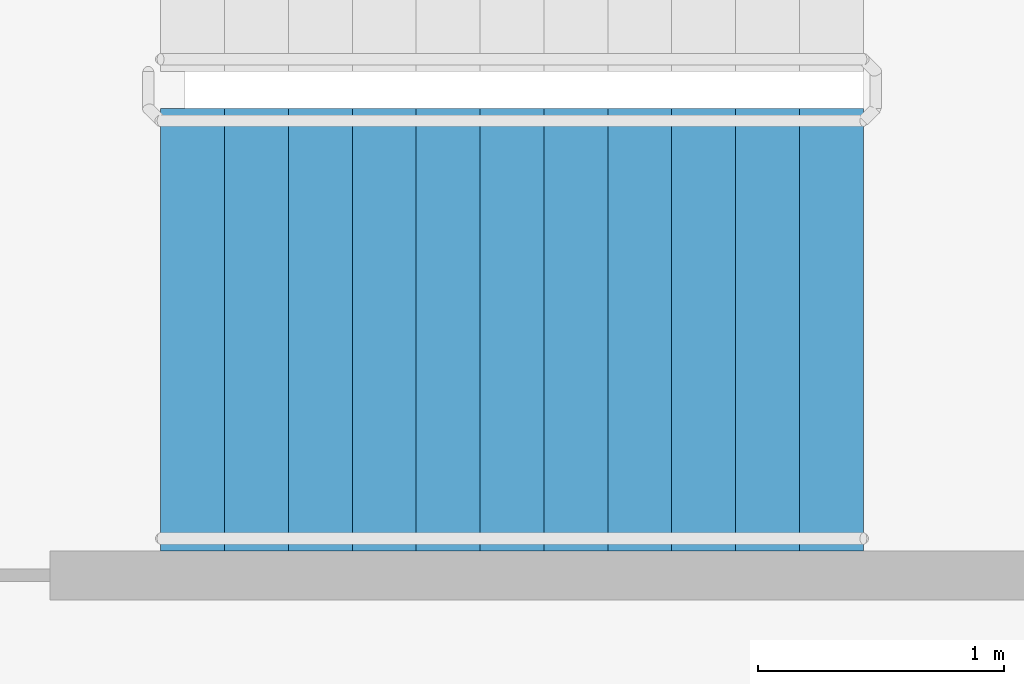
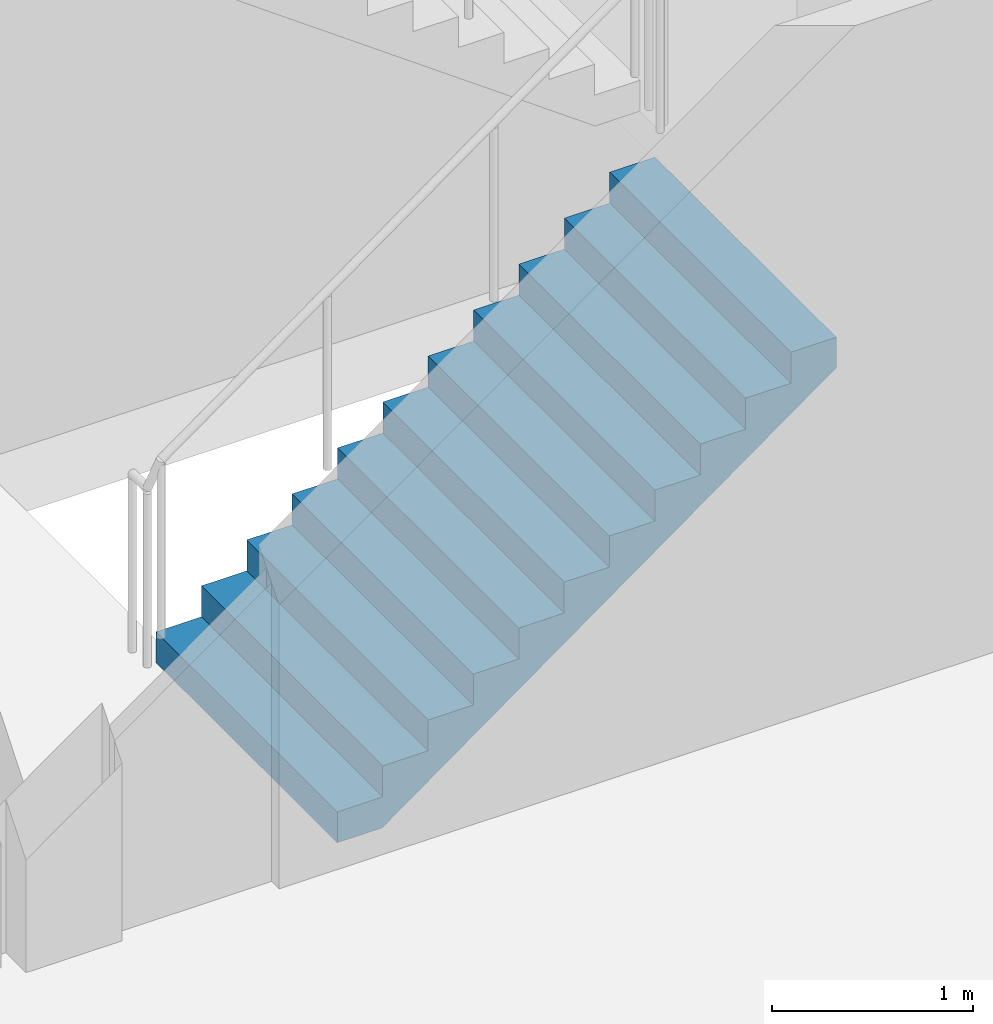
# One storey, part 44 of 49: 1 stair flight, 1 element without a shape of its own.
"""IFC4 building model written with IfcOpenShell, lengths in metres."""

from ifc_helpers import new_model, si_unit, direction, frame, origin, place, context, subcontext, project, spatial, faceted_brep, material, type_object, element, aggregate, save


model = new_model("IFC4")

# Units and contexts
model_context = context("Model", 3, precision=1e-05, world=origin(), true_north=direction((0.0, 1.0)))
body_context = subcontext(model_context, "Body", "Model", "MODEL_VIEW")
ifc_project = project(units=[si_unit("LENGTHUNIT", "METRE"), si_unit("AREAUNIT", "SQUARE_METRE"), si_unit("VOLUMEUNIT", "CUBIC_METRE"), si_unit("PLANEANGLEUNIT", "RADIAN"), si_unit("MASSUNIT", "GRAM", prefix="KILO")], contexts=[model_context])

# Site, building, storey
site_placement = place(None, origin())
site = spatial("IfcSite", under=ifc_project, at=site_placement, CompositionType="ELEMENT")
building_placement = place(site_placement, origin())
building = spatial("IfcBuilding", under=site, at=building_placement, Name="Ipe Terrace Towers", CompositionType="ELEMENT")
storey_placement = place(building_placement, frame((0.0, 0.0, 20.0)))
storey = spatial("IfcBuildingStorey", under=building, at=storey_placement, Name="L04", CompositionType="ELEMENT", Elevation=20.0)

# Stair, stair flight
ifc_material_1 = material(Name="Concrete C30/37", Category="concrete")
stair_type = type_object("IfcStairType", Name="Protected exit stair", PredefinedType="HALF_TURN_STAIR", material=ifc_material_1)
stair_placement = place(storey_placement, origin())
stair = element("IfcStair", 1, at=stair_placement, inside=storey, type_object=stair_type, Name="L04 Podium exit stair PS8", PredefinedType="HALF_TURN_STAIR")
ifc_material_2 = material(Name="Concrete C30/37", Category="concrete")
stair_flight_type = type_object("IfcStairFlightType", Name="Exit stair flight 1800", PredefinedType="STRAIGHT", material=ifc_material_2)
stair_flight_placement = place(storey_placement, frame((58.68994140625, 2.5, 0.0), z_axis=(0.0, 0.0, 1.0), x_axis=(1.0, 0.0, 0.0)))
stair_flight = element("IfcStairFlight", 2, at=stair_flight_placement, type_object=stair_flight_type, Name="PS8 flight 1", NumberOfRisers=12, NumberOfTreads=11, PredefinedType="STRAIGHT", RiserHeight=0.1875, TreadLength=0.26, context=body_context, shape_type="Brep", body=[
    faceted_brep([(0.25634765625, -0.89990234375, 0.0), (2.860107421875, -0.89990234375, 1.877685546875), (2.860107421875, -0.89990234375, 2.0625), (2.60009765625, -0.89990234375, 2.0625), (2.60009765625, -0.89990234375, 1.875), (2.340087890625, -0.89990234375, 1.875), (2.340087890625, -0.89990234375, 1.6875), (2.080078125, -0.89990234375, 1.6875), (2.080078125, -0.89990234375, 1.5), (1.820068359375, -0.89990234375, 1.5), (1.820068359375, -0.89990234375, 1.3125), (1.56005859375, -0.89990234375, 1.3125), (1.56005859375, -0.89990234375, 1.125), (1.300048828125, -0.89990234375, 1.125), (1.300048828125, -0.89990234375, 0.9375), (1.0400390625, -0.89990234375, 0.9375), (1.0400390625, -0.89990234375, 0.75), (0.780029296875, -0.89990234375, 0.75), (0.780029296875, -0.89990234375, 0.5625), (0.52001953125, -0.89990234375, 0.5625), (0.52001953125, -0.89990234375, 0.375), (0.260009765625, -0.89990234375, 0.375), (0.260009765625, -0.89990234375, 0.1875), (0.0, -0.89990234375, 0.1875), (0.0, -0.89990234375, 0.0), (0.0, 0.89990234375, 0.0), (0.0, 0.89990234375, 0.1875), (0.260009765625, 0.89990234375, 0.1875), (0.260009765625, 0.89990234375, 0.375), (0.52001953125, 0.89990234375, 0.375), (0.52001953125, 0.89990234375, 0.5625), (0.780029296875, 0.89990234375, 0.5625), (0.780029296875, 0.89990234375, 0.75), (1.0400390625, 0.89990234375, 0.75), (1.0400390625, 0.89990234375, 0.9375), (1.300048828125, 0.89990234375, 0.9375), (1.300048828125, 0.89990234375, 1.125), (1.56005859375, 0.89990234375, 1.125), (1.56005859375, 0.89990234375, 1.3125), (1.820068359375, 0.89990234375, 1.3125), (1.820068359375, 0.89990234375, 1.5), (2.080078125, 0.89990234375, 1.5), (2.080078125, 0.89990234375, 1.6875), (2.340087890625, 0.89990234375, 1.6875), (2.340087890625, 0.89990234375, 1.875), (2.60009765625, 0.89990234375, 1.875), (2.60009765625, 0.89990234375, 2.0625), (2.860107421875, 0.89990234375, 2.0625), (2.860107421875, 0.89990234375, 1.877685546875), (0.25634765625, 0.89990234375, 0.0), (0.0, -0.300048828125, 0.1875), (0.0, -0.1201171875, 0.1875), (0.0, -0.06005859375, 0.1875), (0.0, -0.030029296875, 0.1875), (0.0, -0.010009765625, 0.1875), (0.0, 0.0, 0.1875), (0.0, 0.010009765625, 0.1875), (0.0, 0.030029296875, 0.1875), (0.0, 0.06005859375, 0.1875), (0.0, 0.1201171875, 0.1875), (0.0, 0.300048828125, 0.1875), (0.0, 0.300048828125, 0.0), (0.0, 0.1201171875, 0.0), (0.0, 0.06005859375, 0.0), (0.0, 0.030029296875, 0.0), (0.0, 0.010009765625, 0.0), (0.0, 0.0, 0.0), (0.0, -0.010009765625, 0.0), (0.0, -0.030029296875, 0.0), (0.0, -0.06005859375, 0.0), (0.0, -0.1201171875, 0.0), (0.0, -0.300048828125, 0.0), (0.260009765625, -0.300048828125, 0.1875), (0.260009765625, -0.1201171875, 0.1875), (0.260009765625, -0.06005859375, 0.1875), (0.260009765625, -0.030029296875, 0.1875), (0.260009765625, -0.010009765625, 0.1875), (0.260009765625, 0.0, 0.1875), (0.260009765625, 0.010009765625, 0.1875), (0.260009765625, 0.030029296875, 0.1875), (0.260009765625, 0.06005859375, 0.1875), (0.260009765625, 0.1201171875, 0.1875), (0.260009765625, 0.300048828125, 0.1875), (0.260009765625, -0.300048828125, 0.375), (0.260009765625, -0.1201171875, 0.375), (0.260009765625, -0.06005859375, 0.375), (0.260009765625, -0.030029296875, 0.375), (0.260009765625, -0.010009765625, 0.375), (0.260009765625, 0.0, 0.375), (0.260009765625, 0.010009765625, 0.375), (0.260009765625, 0.030029296875, 0.375), (0.260009765625, 0.06005859375, 0.375), (0.260009765625, 0.1201171875, 0.375), (0.260009765625, 0.300048828125, 0.375), (0.52001953125, -0.300048828125, 0.375), (0.52001953125, -0.1201171875, 0.375), (0.52001953125, -0.06005859375, 0.375), (0.52001953125, -0.030029296875, 0.375), (0.52001953125, -0.010009765625, 0.375), (0.52001953125, 0.0, 0.375), (0.52001953125, 0.010009765625, 0.375), (0.52001953125, 0.030029296875, 0.375), (0.52001953125, 0.06005859375, 0.375), (0.52001953125, 0.1201171875, 0.375), (0.52001953125, 0.300048828125, 0.375), (0.52001953125, -0.300048828125, 0.5625), (0.52001953125, -0.1201171875, 0.5625), (0.52001953125, -0.06005859375, 0.5625), (0.52001953125, -0.030029296875, 0.5625), (0.52001953125, -0.010009765625, 0.5625), (0.52001953125, 0.0, 0.5625), (0.52001953125, 0.010009765625, 0.5625), (0.52001953125, 0.030029296875, 0.5625), (0.52001953125, 0.06005859375, 0.5625), (0.52001953125, 0.1201171875, 0.5625), (0.52001953125, 0.300048828125, 0.5625), (0.780029296875, -0.300048828125, 0.5625), (0.780029296875, -0.1201171875, 0.5625), (0.780029296875, -0.06005859375, 0.5625), (0.780029296875, -0.030029296875, 0.5625), (0.780029296875, -0.010009765625, 0.5625), (0.780029296875, 0.0, 0.5625), (0.780029296875, 0.010009765625, 0.5625), (0.780029296875, 0.030029296875, 0.5625), (0.780029296875, 0.06005859375, 0.5625), (0.780029296875, 0.1201171875, 0.5625), (0.780029296875, 0.300048828125, 0.5625), (0.780029296875, -0.300048828125, 0.75), (0.780029296875, -0.1201171875, 0.75), (0.780029296875, -0.06005859375, 0.75), (0.780029296875, -0.030029296875, 0.75), (0.780029296875, -0.010009765625, 0.75), (0.780029296875, 0.0, 0.75), (0.780029296875, 0.010009765625, 0.75), (0.780029296875, 0.030029296875, 0.75), (0.780029296875, 0.06005859375, 0.75), (0.780029296875, 0.1201171875, 0.75), (0.780029296875, 0.300048828125, 0.75), (1.0400390625, -0.300048828125, 0.75), (1.0400390625, -0.1201171875, 0.75), (1.0400390625, -0.06005859375, 0.75), (1.0400390625, -0.030029296875, 0.75), (1.0400390625, -0.010009765625, 0.75), (1.0400390625, 0.0, 0.75), (1.0400390625, 0.010009765625, 0.75), (1.0400390625, 0.030029296875, 0.75), (1.0400390625, 0.06005859375, 0.75), (1.0400390625, 0.1201171875, 0.75), (1.0400390625, 0.300048828125, 0.75), (1.0400390625, -0.300048828125, 0.9375), (1.0400390625, -0.1201171875, 0.9375), (1.0400390625, -0.06005859375, 0.9375), (1.0400390625, -0.030029296875, 0.9375), (1.0400390625, -0.010009765625, 0.9375), (1.0400390625, 0.0, 0.9375), (1.0400390625, 0.010009765625, 0.9375), (1.0400390625, 0.030029296875, 0.9375), (1.0400390625, 0.06005859375, 0.9375), (1.0400390625, 0.1201171875, 0.9375), (1.0400390625, 0.300048828125, 0.9375), (1.300048828125, -0.300048828125, 0.9375), (1.300048828125, -0.1201171875, 0.9375), (1.300048828125, -0.06005859375, 0.9375), (1.300048828125, -0.030029296875, 0.9375), (1.300048828125, -0.010009765625, 0.9375), (1.300048828125, 0.0, 0.9375), (1.300048828125, 0.010009765625, 0.9375), (1.300048828125, 0.030029296875, 0.9375), (1.300048828125, 0.06005859375, 0.9375), (1.300048828125, 0.1201171875, 0.9375), (1.300048828125, 0.300048828125, 0.9375), (1.300048828125, -0.300048828125, 1.125), (1.300048828125, -0.1201171875, 1.125), (1.300048828125, -0.06005859375, 1.125), (1.300048828125, -0.030029296875, 1.125), (1.300048828125, -0.010009765625, 1.125), (1.300048828125, 0.0, 1.125), (1.300048828125, 0.010009765625, 1.125), (1.300048828125, 0.030029296875, 1.125), (1.300048828125, 0.06005859375, 1.125), (1.300048828125, 0.1201171875, 1.125), (1.300048828125, 0.300048828125, 1.125), (1.56005859375, -0.300048828125, 1.125), (1.56005859375, -0.1201171875, 1.125), (1.56005859375, -0.06005859375, 1.125), (1.56005859375, -0.030029296875, 1.125), (1.56005859375, -0.010009765625, 1.125), (1.56005859375, 0.0, 1.125), (1.56005859375, 0.010009765625, 1.125), (1.56005859375, 0.030029296875, 1.125), (1.56005859375, 0.06005859375, 1.125), (1.56005859375, 0.1201171875, 1.125), (1.56005859375, 0.300048828125, 1.125), (1.56005859375, -0.300048828125, 1.3125), (1.56005859375, -0.1201171875, 1.3125), (1.56005859375, -0.06005859375, 1.3125), (1.56005859375, -0.030029296875, 1.3125), (1.56005859375, -0.010009765625, 1.3125), (1.56005859375, 0.0, 1.3125), (1.56005859375, 0.010009765625, 1.3125), (1.56005859375, 0.030029296875, 1.3125), (1.56005859375, 0.06005859375, 1.3125), (1.56005859375, 0.1201171875, 1.3125), (1.56005859375, 0.300048828125, 1.3125), (1.820068359375, -0.300048828125, 1.3125), (1.820068359375, -0.1201171875, 1.3125), (1.820068359375, -0.06005859375, 1.3125), (1.820068359375, -0.030029296875, 1.3125), (1.820068359375, -0.010009765625, 1.3125), (1.820068359375, 0.0, 1.3125), (1.820068359375, 0.010009765625, 1.3125), (1.820068359375, 0.030029296875, 1.3125), (1.820068359375, 0.06005859375, 1.3125), (1.820068359375, 0.1201171875, 1.3125), (1.820068359375, 0.300048828125, 1.3125), (1.820068359375, -0.300048828125, 1.5), (1.820068359375, -0.1201171875, 1.5), (1.820068359375, -0.06005859375, 1.5), (1.820068359375, -0.030029296875, 1.5), (1.820068359375, -0.010009765625, 1.5), (1.820068359375, 0.0, 1.5), (1.820068359375, 0.010009765625, 1.5), (1.820068359375, 0.030029296875, 1.5), (1.820068359375, 0.06005859375, 1.5), (1.820068359375, 0.1201171875, 1.5), (1.820068359375, 0.300048828125, 1.5), (2.080078125, -0.300048828125, 1.5), (2.080078125, -0.1201171875, 1.5), (2.080078125, -0.06005859375, 1.5), (2.080078125, -0.030029296875, 1.5), (2.080078125, -0.010009765625, 1.5), (2.080078125, 0.0, 1.5), (2.080078125, 0.010009765625, 1.5), (2.080078125, 0.030029296875, 1.5), (2.080078125, 0.06005859375, 1.5), (2.080078125, 0.1201171875, 1.5), (2.080078125, 0.300048828125, 1.5), (2.080078125, -0.300048828125, 1.6875), (2.080078125, -0.1201171875, 1.6875), (2.080078125, -0.06005859375, 1.6875), (2.080078125, -0.030029296875, 1.6875), (2.080078125, -0.010009765625, 1.6875), (2.080078125, 0.0, 1.6875), (2.080078125, 0.010009765625, 1.6875), (2.080078125, 0.030029296875, 1.6875), (2.080078125, 0.06005859375, 1.6875), (2.080078125, 0.1201171875, 1.6875), (2.080078125, 0.300048828125, 1.6875), (2.340087890625, -0.300048828125, 1.6875), (2.340087890625, -0.1201171875, 1.6875), (2.340087890625, -0.06005859375, 1.6875), (2.340087890625, -0.030029296875, 1.6875), (2.340087890625, -0.010009765625, 1.6875), (2.340087890625, 0.0, 1.6875), (2.340087890625, 0.010009765625, 1.6875), (2.340087890625, 0.030029296875, 1.6875), (2.340087890625, 0.06005859375, 1.6875), (2.340087890625, 0.1201171875, 1.6875), (2.340087890625, 0.300048828125, 1.6875), (2.340087890625, -0.300048828125, 1.875), (2.340087890625, -0.1201171875, 1.875), (2.340087890625, -0.06005859375, 1.875), (2.340087890625, -0.030029296875, 1.875), (2.340087890625, -0.010009765625, 1.875), (2.340087890625, 0.0, 1.875), (2.340087890625, 0.010009765625, 1.875), (2.340087890625, 0.030029296875, 1.875), (2.340087890625, 0.06005859375, 1.875), (2.340087890625, 0.1201171875, 1.875), (2.340087890625, 0.300048828125, 1.875), (2.60009765625, -0.300048828125, 1.875), (2.60009765625, -0.1201171875, 1.875), (2.60009765625, -0.06005859375, 1.875), (2.60009765625, -0.030029296875, 1.875), (2.60009765625, -0.010009765625, 1.875), (2.60009765625, 0.0, 1.875), (2.60009765625, 0.010009765625, 1.875), (2.60009765625, 0.030029296875, 1.875), (2.60009765625, 0.06005859375, 1.875), (2.60009765625, 0.1201171875, 1.875), (2.60009765625, 0.300048828125, 1.875), (2.60009765625, -0.300048828125, 2.0625), (2.60009765625, -0.1201171875, 2.0625), (2.60009765625, -0.06005859375, 2.0625), (2.60009765625, -0.030029296875, 2.0625), (2.60009765625, -0.010009765625, 2.0625), (2.60009765625, 0.0, 2.0625), (2.60009765625, 0.010009765625, 2.0625), (2.60009765625, 0.030029296875, 2.0625), (2.60009765625, 0.06005859375, 2.0625), (2.60009765625, 0.1201171875, 2.0625), (2.60009765625, 0.300048828125, 2.0625), (2.860107421875, -0.300048828125, 2.0625), (2.860107421875, -0.1201171875, 2.0625), (2.860107421875, -0.06005859375, 2.0625), (2.860107421875, -0.030029296875, 2.0625), (2.860107421875, -0.010009765625, 2.0625), (2.860107421875, 0.0, 2.0625), (2.860107421875, 0.010009765625, 2.0625), (2.860107421875, 0.030029296875, 2.0625), (2.860107421875, 0.06005859375, 2.0625), (2.860107421875, 0.1201171875, 2.0625), (2.860107421875, 0.300048828125, 2.0625), (2.860107421875, -0.300048828125, 1.877685546875), (2.860107421875, -0.1201171875, 1.877685546875), (2.860107421875, -0.06005859375, 1.877685546875), (2.860107421875, -0.030029296875, 1.877685546875), (2.860107421875, -0.010009765625, 1.877685546875), (2.860107421875, 0.0, 1.877685546875), (2.860107421875, 0.010009765625, 1.877685546875), (2.860107421875, 0.030029296875, 1.877685546875), (2.860107421875, 0.06005859375, 1.877685546875), (2.860107421875, 0.1201171875, 1.877685546875), (2.860107421875, 0.300048828125, 1.877685546875), (0.25634765625, -0.300048828125, 0.0), (0.25634765625, -0.1201171875, 0.0), (0.25634765625, -0.06005859375, 0.0), (0.25634765625, -0.030029296875, 0.0), (0.25634765625, -0.010009765625, 0.0), (0.25634765625, 0.0, 0.0), (0.25634765625, 0.010009765625, 0.0), (0.25634765625, 0.030029296875, 0.0), (0.25634765625, 0.06005859375, 0.0), (0.25634765625, 0.1201171875, 0.0), (0.25634765625, 0.300048828125, 0.0)], [[[0, 1, 2, 3, 4, 5, 6, 7, 8, 9, 10, 11, 12, 13, 14, 15, 16, 17, 18, 19, 20, 21, 22, 23, 24]], [[25, 26, 27, 28, 29, 30, 31, 32, 33, 34, 35, 36, 37, 38, 39, 40, 41, 42, 43, 44, 45, 46, 47, 48, 49]], [[23, 50, 51, 52, 53, 54, 55, 56, 57, 58, 59, 60, 26, 25, 61, 62, 63, 64, 65, 66, 67, 68, 69, 70, 71, 24]], [[22, 72, 73, 74, 75, 76, 77, 78, 79, 80, 81, 82, 27, 26, 60, 59, 58, 57, 56, 55, 54, 53, 52, 51, 50, 23]], [[21, 83, 84, 85, 86, 87, 88, 89, 90, 91, 92, 93, 28, 27, 82, 81, 80, 79, 78, 77, 76, 75, 74, 73, 72, 22]], [[20, 94, 95, 96, 97, 98, 99, 100, 101, 102, 103, 104, 29, 28, 93, 92, 91, 90, 89, 88, 87, 86, 85, 84, 83, 21]], [[19, 105, 106, 107, 108, 109, 110, 111, 112, 113, 114, 115, 30, 29, 104, 103, 102, 101, 100, 99, 98, 97, 96, 95, 94, 20]], [[18, 116, 117, 118, 119, 120, 121, 122, 123, 124, 125, 126, 31, 30, 115, 114, 113, 112, 111, 110, 109, 108, 107, 106, 105, 19]], [[17, 127, 128, 129, 130, 131, 132, 133, 134, 135, 136, 137, 32, 31, 126, 125, 124, 123, 122, 121, 120, 119, 118, 117, 116, 18]], [[16, 138, 139, 140, 141, 142, 143, 144, 145, 146, 147, 148, 33, 32, 137, 136, 135, 134, 133, 132, 131, 130, 129, 128, 127, 17]], [[15, 149, 150, 151, 152, 153, 154, 155, 156, 157, 158, 159, 34, 33, 148, 147, 146, 145, 144, 143, 142, 141, 140, 139, 138, 16]], [[14, 160, 161, 162, 163, 164, 165, 166, 167, 168, 169, 170, 35, 34, 159, 158, 157, 156, 155, 154, 153, 152, 151, 150, 149, 15]], [[13, 171, 172, 173, 174, 175, 176, 177, 178, 179, 180, 181, 36, 35, 170, 169, 168, 167, 166, 165, 164, 163, 162, 161, 160, 14]], [[12, 182, 183, 184, 185, 186, 187, 188, 189, 190, 191, 192, 37, 36, 181, 180, 179, 178, 177, 176, 175, 174, 173, 172, 171, 13]], [[11, 193, 194, 195, 196, 197, 198, 199, 200, 201, 202, 203, 38, 37, 192, 191, 190, 189, 188, 187, 186, 185, 184, 183, 182, 12]], [[10, 204, 205, 206, 207, 208, 209, 210, 211, 212, 213, 214, 39, 38, 203, 202, 201, 200, 199, 198, 197, 196, 195, 194, 193, 11]], [[9, 215, 216, 217, 218, 219, 220, 221, 222, 223, 224, 225, 40, 39, 214, 213, 212, 211, 210, 209, 208, 207, 206, 205, 204, 10]], [[8, 226, 227, 228, 229, 230, 231, 232, 233, 234, 235, 236, 41, 40, 225, 224, 223, 222, 221, 220, 219, 218, 217, 216, 215, 9]], [[7, 237, 238, 239, 240, 241, 242, 243, 244, 245, 246, 247, 42, 41, 236, 235, 234, 233, 232, 231, 230, 229, 228, 227, 226, 8]], [[6, 248, 249, 250, 251, 252, 253, 254, 255, 256, 257, 258, 43, 42, 247, 246, 245, 244, 243, 242, 241, 240, 239, 238, 237, 7]], [[5, 259, 260, 261, 262, 263, 264, 265, 266, 267, 268, 269, 44, 43, 258, 257, 256, 255, 254, 253, 252, 251, 250, 249, 248, 6]], [[4, 270, 271, 272, 273, 274, 275, 276, 277, 278, 279, 280, 45, 44, 269, 268, 267, 266, 265, 264, 263, 262, 261, 260, 259, 5]], [[3, 281, 282, 283, 284, 285, 286, 287, 288, 289, 290, 291, 46, 45, 280, 279, 278, 277, 276, 275, 274, 273, 272, 271, 270, 4]], [[2, 292, 293, 294, 295, 296, 297, 298, 299, 300, 301, 302, 47, 46, 291, 290, 289, 288, 287, 286, 285, 284, 283, 282, 281, 3]], [[1, 303, 304, 305, 306, 307, 308, 309, 310, 311, 312, 313, 48, 47, 302, 301, 300, 299, 298, 297, 296, 295, 294, 293, 292, 2]], [[0, 314, 315, 316, 317, 318, 319, 320, 321, 322, 323, 324, 49, 48, 313, 312, 311, 310, 309, 308, 307, 306, 305, 304, 303, 1]], [[24, 71, 70, 69, 68, 67, 66, 65, 64, 63, 62, 61, 25, 49, 324, 323, 322, 321, 320, 319, 318, 317, 316, 315, 314, 0]]]),
])
aggregate(stair, [stair_flight])

save(model, "model.ifc")
